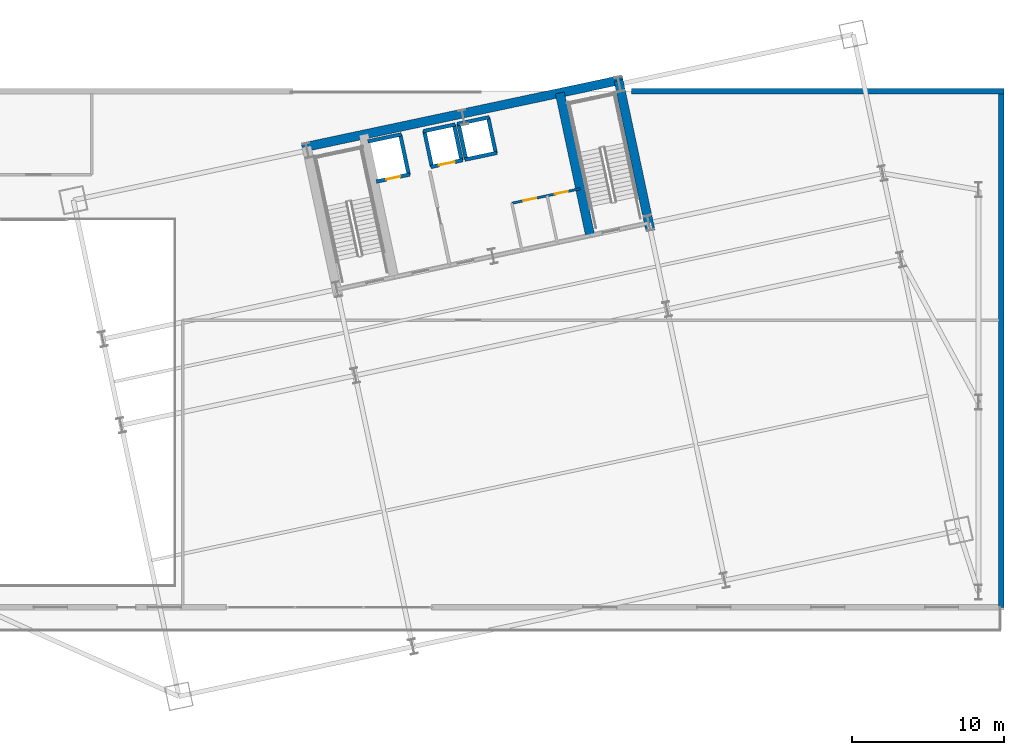
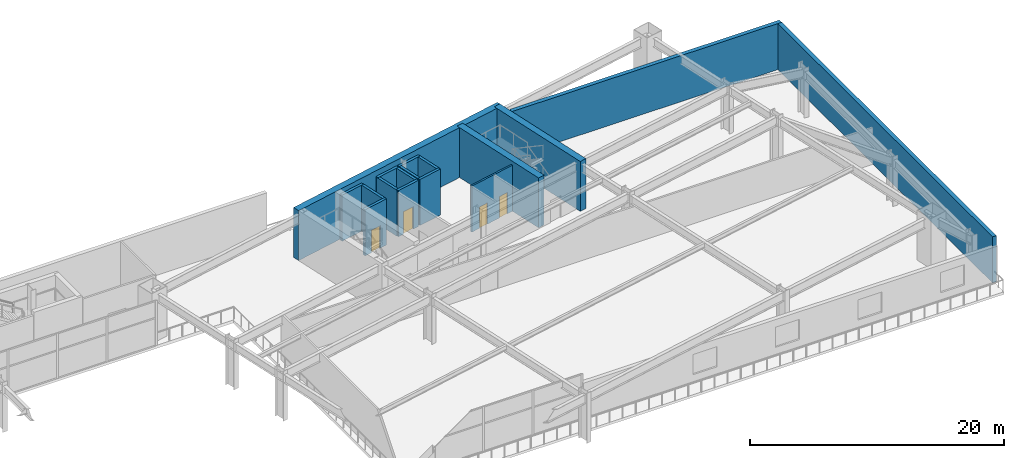
# One storey, part 22 of 35: 17 walls, 4 doors, 4 openings.
"""IFC4 building model written with IfcOpenShell, lengths in metres."""

import ifcopenshell
import ifcopenshell.guid

model = None  # the IFC model being written
_history = None  # IfcOwnerHistory: only IFC2X3 demands one
_inside = {}  # id of a spatial element -> (the spatial element, [elements in it])
_under = {}  # id of a project, library or spatial element -> (it, [spatial elements below it])
_declared = {}  # id of a project -> (the project, [libraries it declares])
_typed = {}  # id of a type object -> (the type object, [elements of that type])
_made_of = {}  # id of a material, layer set ... -> (it, [elements and type objects made of it])


def new_model(schema):
    """Start an empty IFC model of exactly this schema.

    Asked for "IFC4X3", IfcOpenShell would pick the latest addendum, in which some entities
    have other attributes; the version numbers below select the first issue.
    IFC2X3 requires an IfcOwnerHistory on every rooted entity: one is made here for all.
    """
    global model, _history
    if schema == "IFC4X3":
        model = ifcopenshell.file(schema_version=(4, 3, 0, 0))
    else:
        model = ifcopenshell.file(schema=schema)
    _inside.clear()
    _under.clear()
    _declared.clear()
    _typed.clear()
    _made_of.clear()
    _history = None
    if model.schema == "IFC2X3":
        org = make("IfcOrganization", Name="unknown")
        user = make(
            "IfcPersonAndOrganization",
            ThePerson=make("IfcPerson", FamilyName="unknown"),
            TheOrganization=org,
        )
        app = make(
            "IfcApplication",
            ApplicationDeveloper=org,
            Version="unknown",
            ApplicationFullName="unknown",
            ApplicationIdentifier="unknown",
        )
        _history = make(
            "IfcOwnerHistory",
            OwningUser=user,
            OwningApplication=app,
            ChangeAction="ADDED",
            CreationDate=0,
        )
    return model


def make(cls, **values):
    """One entity of the class cls with the attributes given. An attribute that is None is left unset."""
    return model.create_entity(
        cls, **{name: value for name, value in values.items() if value is not None}
    )


def rooted(cls, **values):
    """An entity with a GlobalId (a new one), such as an element, a storey or a relation."""
    return make(cls, GlobalId=ifcopenshell.guid.new(), OwnerHistory=_history, **values)


def si_unit(unit_type, name, prefix=None):
    """IfcSIUnit, for example si_unit("LENGTHUNIT", "METRE", prefix="MILLI")."""
    return make("IfcSIUnit", UnitType=unit_type, Prefix=prefix, Name=name)


def assignment(units):
    """IfcUnitAssignment: the units of a project."""
    return None if units is None else make("IfcUnitAssignment", Units=units)


def point(xyz):
    """IfcCartesianPoint."""
    return None if xyz is None else make("IfcCartesianPoint", Coordinates=xyz)


def direction(xyz):
    """IfcDirection."""
    return None if xyz is None else make("IfcDirection", DirectionRatios=xyz)


def frame(location, z_axis=None, x_axis=None):
    """IfcAxis2Placement3D, a coordinate frame: its origin and axes. An axis left out is left unset."""
    return make(
        "IfcAxis2Placement3D",
        Location=point(location),
        Axis=direction(z_axis),
        RefDirection=direction(x_axis),
    )


def frame_2d(location, x_axis=None):
    """IfcAxis2Placement2D, a coordinate frame in the plane: its origin and x axis."""
    return make(
        "IfcAxis2Placement2D", Location=point(location), RefDirection=direction(x_axis)
    )


def origin():
    """The frame at (0, 0, 0) with its axes left unset."""
    return frame((0.0, 0.0, 0.0))


def place(relative_to, where):
    """IfcLocalPlacement: puts the frame where relative to a parent placement (None: the world)."""
    return make(
        "IfcLocalPlacement", PlacementRelTo=relative_to, RelativePlacement=where
    )


def context(
    kind, dimensions, precision=None, world=None, true_north=None, identifier=None
):
    """IfcGeometricRepresentationContext, for example the 3D "Model" context."""
    return make(
        "IfcGeometricRepresentationContext",
        ContextIdentifier=identifier,
        ContextType=kind,
        CoordinateSpaceDimension=dimensions,
        Precision=precision,
        WorldCoordinateSystem=world,
        TrueNorth=true_north,
    )


def subcontext(parent, identifier, kind, view, scale=None):
    """IfcGeometricRepresentationSubContext, for example "Body" below "Model"."""
    return make(
        "IfcGeometricRepresentationSubContext",
        ContextIdentifier=identifier,
        ContextType=kind,
        ParentContext=parent,
        TargetScale=scale,
        TargetView=view,
    )


def project(units=None, contexts=None):
    """IfcProject with its units and contexts."""
    return rooted(
        "IfcProject",
        Name="project",
        RepresentationContexts=contexts,
        UnitsInContext=assignment(units),
    )


def spatial(cls, under=None, at=None, **own):
    """A site, building, storey or space (cls), placed at a placement, below another one or the project."""
    s = rooted(cls, ObjectPlacement=at, **own)
    if under is not None:
        _under.setdefault(under.id(), (under, []))[1].append(s)
    return s


def profile(cls, at=None, kind="AREA", **sizes):
    """A parametric profile (cls). Its sizes go by their IFC names, for example OverallWidth=200.0."""
    return make(cls, ProfileType=kind, Position=at, **sizes)


def rectangle(**sizes):
    """IfcRectangleProfileDef."""
    return profile("IfcRectangleProfileDef", **sizes)


def extrude(swept, where, along, depth):
    """IfcExtrudedAreaSolid: the profile swept, set in the frame where, extruded along a direction by depth."""
    return make(
        "IfcExtrudedAreaSolid",
        SweptArea=swept,
        Position=where,
        ExtrudedDirection=direction(along),
        Depth=depth,
    )


def shape(context_of_items, identifier, shape_type, items):
    """IfcShapeRepresentation: the items that make up one representation, for example the "Body"."""
    return make(
        "IfcShapeRepresentation",
        ContextOfItems=context_of_items,
        RepresentationIdentifier=identifier,
        RepresentationType=shape_type,
        Items=items,
    )


def material(Name=None, Category=None):
    """IfcMaterial."""
    return make("IfcMaterial", Name=Name, Category=Category)


def layer(
    of_material, thickness, ventilated=None, Name=None, Category=None, Priority=None
):
    """IfcMaterialLayer: one layer of a wall or slab, of a material (None: an air gap)."""
    return make(
        "IfcMaterialLayer",
        Material=of_material,
        LayerThickness=thickness,
        IsVentilated=ventilated,
        Name=Name,
        Category=Category,
        Priority=Priority,
    )


def layer_set(layers, Name=None):
    """IfcMaterialLayerSet."""
    return make("IfcMaterialLayerSet", MaterialLayers=layers, LayerSetName=Name)


def made_of(thing, what):
    """Note that an element or type object is made of a material, layer set ...; save() writes the relation."""
    if what is not None:
        _made_of.setdefault(what.id(), (what, []))[1].append(thing)
    return thing


def type_object(cls, material=None, **own):
    """A type object (cls), such as IfcWallType, which elements share."""
    return made_of(rooted(cls, **own), material)


def element(
    cls,
    number,
    at=None,
    inside=None,
    cuts=None,
    type_object=None,
    material=None,
    context=None,
    identifier="Body",
    shape_type=None,
    held_by="IfcProductDefinitionShape",
    body=None,
    shapes=None,
    **own,
):
    """One element of the class cls, such as IfcWall. Its Tag is "e" and its number.

    at: its placement. inside: the storey or other place that contains it. cuts: it is an
    opening in that element (IfcRelVoidsElement). A single representation is given by context,
    identifier, shape_type and body (its items); several are given by shapes. held_by: the class
    of the entity that holds the representations. save() writes the other relations.
    """
    e = rooted(cls, Tag="e%d" % number, ObjectPlacement=at, **own)
    if body is not None:
        shapes = [shape(context, identifier, shape_type, body)]
    if shapes is not None:
        e.Representation = make(held_by, Representations=shapes)
    if inside is not None:
        _inside.setdefault(inside.id(), (inside, []))[1].append(e)
    if cuts is not None:
        rooted(
            "IfcRelVoidsElement", RelatingBuildingElement=cuts, RelatedOpeningElement=e
        )
    if type_object is not None:
        _typed.setdefault(type_object.id(), (type_object, []))[1].append(e)
    return made_of(e, material)


def fill(opening, filler):
    """IfcRelFillsElement: the door or window that sits in an opening."""
    return rooted(
        "IfcRelFillsElement",
        RelatingOpeningElement=opening,
        RelatedBuildingElement=filler,
    )


def aggregate(whole, parts):
    """IfcRelAggregates: a whole, such as a stair, and the parts it consists of."""
    return rooted("IfcRelAggregates", RelatingObject=whole, RelatedObjects=parts)


def save(model, path):
    """Write the relations noted so far, then the file.

    IfcRelAggregates (storeys below a building ...), IfcRelContainedInSpatialStructure (elements
    in a storey), IfcRelDefinesByType, IfcRelAssociatesMaterial and IfcRelDeclares: one each for
    every whole, place, type object, material and project.
    """
    for whole, parts in _under.values():
        aggregate(whole, parts)
    for where, things in _inside.values():
        rooted(
            "IfcRelContainedInSpatialStructure",
            RelatedElements=things,
            RelatingStructure=where,
        )
    for kind, things in _typed.values():
        rooted("IfcRelDefinesByType", RelatedObjects=things, RelatingType=kind)
    for what, things in _made_of.values():
        rooted("IfcRelAssociatesMaterial", RelatedObjects=things, RelatingMaterial=what)
    for by, libraries in _declared.values():
        rooted("IfcRelDeclares", RelatingContext=by, RelatedDefinitions=libraries)
    model.write(path)


model = new_model("IFC4")

# Units and contexts
model_context = context("Model", 3, precision=1e-05, world=origin(), true_north=direction((0.0, 1.0)))
body_context = subcontext(model_context, "Body", "Model", "MODEL_VIEW")
ifc_project = project(units=[si_unit("LENGTHUNIT", "METRE"), si_unit("AREAUNIT", "SQUARE_METRE"), si_unit("VOLUMEUNIT", "CUBIC_METRE"), si_unit("PLANEANGLEUNIT", "RADIAN"), si_unit("MASSUNIT", "GRAM", prefix="KILO")], contexts=[model_context])

# Site, building, storey
site_placement = place(None, origin())
site = spatial("IfcSite", under=ifc_project, at=site_placement, CompositionType="ELEMENT")
building_placement = place(site_placement, origin())
building = spatial("IfcBuilding", under=site, at=building_placement, Name="Haevon Station Towers", CompositionType="ELEMENT")
storey_placement = place(building_placement, frame((0.0, 0.0, 20.39990234375)))
storey = spatial("IfcBuildingStorey", under=building, at=storey_placement, Name="L04", CompositionType="ELEMENT", Elevation=20.39990234375)

# Walls
ifc_material_1 = material(Name="Concrete C60/75", Category="concrete")
ifc_layer_1 = layer(ifc_material_1, 0.60009765625)
ifc_layer_set_1 = layer_set([ifc_layer_1], Name="Concrete C60/75")
wall_type_1 = type_object("IfcWallType", Name="WL-CR600", PredefinedType="SHEAR", material=ifc_layer_set_1)
wall_1_placement = place(storey_placement, frame((96.462890625, 46.770263671875, 0.0), z_axis=(0.0, 0.0, 1.0), x_axis=(0.978147272959, 0.207913232873, 0.0)))
element("IfcWall", 1, at=wall_1_placement, inside=storey, type_object=wall_type_1, Name="WL-T2CR-L04-N", PredefinedType="SHEAR", context=body_context, shape_type="SweptSolid", body=[
    extrude(rectangle(XDim=21.60009765625, YDim=0.60009765625, at=frame_2d((10.800048828125, 0.0))), origin(), (0.0, 0.0, 1.0), 4.800048828125),
])
wall_2_placement = place(storey_placement, frame((119.401611328125, 41.2998046875, 0.0), z_axis=(0.0, 0.0, 1.0), x_axis=(-0.207904342798, 0.978149162575, 0.0)))
element("IfcWall", 2, at=wall_2_placement, inside=storey, type_object=wall_type_1, Name="WL-T2CR-L04-E", PredefinedType="SHEAR", context=body_context, shape_type="SweptSolid", body=[
    extrude(rectangle(XDim=10.1201171875, YDim=0.60009765625, at=frame_2d((5.06005859375, 0.0))), origin(), (0.0, 0.0, 1.0), 4.800048828125),
])
wall_3_placement = place(storey_placement, frame((115.4296875, 40.9873046875, 0.0), z_axis=(0.0, 0.0, 1.0), x_axis=(-0.207903162969, 0.978149413345, 0.0)))
element("IfcWall", 3, at=wall_3_placement, inside=storey, type_object=wall_type_1, Name="WL-T2CR-L04-M2", PredefinedType="SHEAR", context=body_context, shape_type="SweptSolid", body=[
    extrude(rectangle(XDim=9.599853515625, YDim=0.60009765625, at=frame_2d((4.7998046875, 0.0))), origin(), (0.0, 0.0, 1.0), 4.800048828125),
])
ifc_material_2 = material(Name="Precast concrete C45/55", Category="concrete")
ifc_layer_2 = layer(ifc_material_2, 0.360107421875)
ifc_layer_set_2 = layer_set([ifc_layer_2], Name="Precast concrete C45/55")
wall_type_2 = type_object("IfcWallType", Name="WL-EXT-POD360", PredefinedType="SOLIDWALL", material=ifc_layer_set_2)
wall_4_placement = place(storey_placement, frame((118.14990234375, 50.5, 0.0), z_axis=(0.0, 0.0, 1.0), x_axis=(1.0, 0.0, 0.0)))
element("IfcWall", 4, at=wall_4_placement, inside=storey, type_object=wall_type_2, Name="WL-POD-L04-N2", PredefinedType="SOLIDWALL", context=body_context, shape_type="SweptSolid", body=[
    extrude(rectangle(XDim=24.530029296875, YDim=0.360107421875, at=frame_2d((12.26513671875, 0.0))), origin(), (0.0, 0.0, 1.0), 4.43017578125),
])
wall_5_placement = place(storey_placement, frame((142.5, 50.5, 0.0), z_axis=(0.0, 0.0, 1.0), x_axis=(0.0, -1.0, 0.0)))
element("IfcWall", 5, at=wall_5_placement, inside=storey, type_object=wall_type_2, Name="WL-POD-L04-E", PredefinedType="SOLIDWALL", context=body_context, shape_type="SweptSolid", body=[
    extrude(rectangle(XDim=34.0, YDim=0.360107421875, at=frame_2d((17.0, 0.0))), origin(), (0.0, 0.0, 1.0), 4.43017578125),
])

# Wall, openings, doors
ifc_material_3 = material(Name="Gypsum board on steel stud", Category="steel")
ifc_layer_3 = layer(ifc_material_3, 0.159912109375)
ifc_layer_set_3 = layer_set([ifc_layer_3], Name="Gypsum board on steel stud")
wall_type_3 = type_object("IfcWallType", Name="WL-PRT160", PredefinedType="PARTITIONING", material=ifc_layer_set_3)
wall_6_placement = place(storey_placement, frame((110.275390625, 43.112060546875, 0.0), z_axis=(0.0, 0.0, 1.0), x_axis=(0.978152106073, 0.207890493732, 0.0)))
wall_6 = element("IfcWall", 6, at=wall_6_placement, inside=storey, type_object=wall_type_3, Name="WL-T2CW-L04-03", PredefinedType="PARTITIONING", context=body_context, shape_type="SweptSolid", body=[
    extrude(rectangle(XDim=4.60009765625, YDim=0.159912109375, at=frame_2d((2.300048828125, 0.0))), origin(), (0.0, 0.0, 1.0), 4.43017578125),
])
opening_1_placement = place(wall_6_placement, frame((0.784912109375, 0.0, 0.0)))
opening_1 = element("IfcOpeningElement", 7, at=opening_1_placement, cuts=wall_6, Name="Opening DR-WL-T2CW-L04-03-1", PredefinedType="OPENING", context=body_context, shape_type="SweptSolid", body=[
    extrude(rectangle(XDim=0.85009765625, YDim=2.050048828125, at=frame_2d((0.425048828125, 1.02490234375))), frame((0.0, 0.08984375, 0.0), z_axis=(0.0, -1.0, 0.0), x_axis=(1.0, 0.0, 0.0)), (0.0, 0.0, 1.0), 0.179931640625),
])
opening_2_placement = place(wall_6_placement, frame((2.905029296875, 0.0, 0.0)))
opening_2 = element("IfcOpeningElement", 8, at=opening_2_placement, cuts=wall_6, Name="Opening DR-WL-T2CW-L04-03-2", PredefinedType="OPENING", context=body_context, shape_type="SweptSolid", body=[
    extrude(rectangle(XDim=0.85009765625, YDim=2.050048828125, at=frame_2d((0.425048828125, 1.02490234375))), frame((0.0, 0.08984375, 0.0), z_axis=(0.0, -1.0, 0.0), x_axis=(1.0, 0.0, 0.0)), (0.0, 0.0, 1.0), 0.179931640625),
])
ifc_material_4 = material(Name="Engineered oak timber", Category="wood")
door_type_1 = type_object("IfcDoorType", Name="DR-FD30-850", OperationType="NOTDEFINED", PredefinedType="DOOR", material=ifc_material_4)
door_1_placement = place(opening_1_placement, origin())
door_1 = element("IfcDoor", 9, at=door_1_placement, inside=storey, type_object=door_type_1, Name="L04 Tower 2 Core Room Door 3-1", OperationType="SINGLE_SWING_RIGHT", OverallHeight=2.050048828125, OverallWidth=0.85009765625, PredefinedType="DOOR", context=body_context, shape_type="SweptSolid", body=[
    extrude(rectangle(XDim=0.85009765625, YDim=2.050048828125, at=frame_2d((0.425048828125, 1.02490234375))), frame((0.0, 0.02490234375, 0.0), z_axis=(0.0, -1.0, 0.0), x_axis=(1.0, 0.0, 0.0)), (0.0, 0.0, 1.0), 0.050048828125),
])
fill(opening_1, door_1)
door_2_placement = place(opening_2_placement, origin())
door_2 = element("IfcDoor", 10, at=door_2_placement, inside=storey, type_object=door_type_1, Name="L04 Tower 2 Core Room Door 3-2", OperationType="SINGLE_SWING_LEFT", OverallHeight=2.050048828125, OverallWidth=0.85009765625, PredefinedType="DOOR", context=body_context, shape_type="SweptSolid", body=[
    extrude(rectangle(XDim=0.85009765625, YDim=2.050048828125, at=frame_2d((0.425048828125, 1.02490234375))), frame((0.0, 0.02490234375, 0.0), z_axis=(0.0, -1.0, 0.0), x_axis=(1.0, 0.0, 0.0)), (0.0, 0.0, 1.0), 0.050048828125),
])
fill(opening_2, door_2)

# Wall, opening, door
ifc_material_5 = material(Name="Concrete C40/50", Category="concrete")
ifc_layer_4 = layer(ifc_material_5, 0.239990234375)
ifc_layer_set_4 = layer_set([ifc_layer_4], Name="Concrete C40/50")
wall_type_4 = type_object("IfcWallType", Name="WL-SHF240", PredefinedType="PARTITIONING", material=ifc_layer_set_4)
wall_7_placement = place(storey_placement, frame((101.353759765625, 44.538330078125, 0.0), z_axis=(0.0, 0.0, 1.0), x_axis=(0.978141002414, 0.207942731049, 0.0)))
wall_7 = element("IfcWall", 11, at=wall_7_placement, inside=storey, type_object=wall_type_4, Name="WL-SHF-FL2-L04", PredefinedType="PARTITIONING", context=body_context, shape_type="SweptSolid", body=[
    extrude(rectangle(XDim=2.260009765625, YDim=0.239990234375, at=frame_2d((1.1298828125, 0.0))), origin(), (0.0, 0.0, 1.0), 4.43017578125),
])
opening_3_placement = place(wall_7_placement, frame((0.655029296875, 0.0, 0.0)))
opening_3 = element("IfcOpeningElement", 12, at=opening_3_placement, cuts=wall_7, Name="Opening LD-FL2-L04", PredefinedType="OPENING", context=body_context, shape_type="SweptSolid", body=[
    extrude(rectangle(XDim=0.949951171875, YDim=2.14990234375, at=frame_2d((0.47509765625, 1.074951171875))), frame((0.0, 0.1298828125, 0.0), z_axis=(0.0, -1.0, 0.0), x_axis=(1.0, 0.0, 0.0)), (0.0, 0.0, 1.0), 0.260009765625),
])
ifc_material_6 = material(Name="Stainless steel and rated core", Category="steel")
door_type_2 = type_object("IfcDoorType", Name="LD-FL950", OperationType="SLIDING_TO_LEFT", PredefinedType="DOOR", material=ifc_material_6)
door_3_placement = place(opening_3_placement, origin())
door_3 = element("IfcDoor", 13, at=door_3_placement, inside=storey, type_object=door_type_2, Name="L04 Lift FL2 Sliding Landing Door", OperationType="SLIDING_TO_LEFT", OverallHeight=2.14990234375, OverallWidth=0.949951171875, PredefinedType="DOOR", context=body_context, shape_type="SweptSolid", body=[
    extrude(rectangle(XDim=0.949951171875, YDim=2.14990234375, at=frame_2d((0.47509765625, 1.074951171875))), frame((0.0, 0.02490234375, 0.0), z_axis=(0.0, -1.0, 0.0), x_axis=(1.0, 0.0, 0.0)), (0.0, 0.0, 1.0), 0.050048828125),
])
fill(opening_3, door_3)

# Walls
wall_8_placement = place(storey_placement, frame((100.79248046875, 47.179443359375, 0.0), z_axis=(0.0, 0.0, 1.0), x_axis=(0.978162968872, 0.207839376268, 0.0)))
element("IfcWall", 14, at=wall_8_placement, inside=storey, type_object=wall_type_4, Name="WL-SHF-FL2-L04-N", PredefinedType="PARTITIONING", context=body_context, shape_type="SweptSolid", body=[
    extrude(rectangle(XDim=2.260009765625, YDim=0.239990234375, at=frame_2d((1.1298828125, 0.0))), origin(), (0.0, 0.0, 1.0), 4.43017578125),
])
wall_9_placement = place(storey_placement, frame((103.486328125, 44.99169921875, 0.0), z_axis=(0.0, 0.0, 1.0), x_axis=(-0.207978798957, 0.978133334052, 0.0)))
element("IfcWall", 15, at=wall_9_placement, inside=storey, type_object=wall_type_4, Name="WL-SHF-FL2-L04-E", PredefinedType="PARTITIONING", context=body_context, shape_type="SweptSolid", body=[
    extrude(rectangle(XDim=2.699951171875, YDim=0.239990234375, at=frame_2d((1.35009765625, 0.0))), origin(), (0.0, 0.0, 1.0), 4.43017578125),
])

# Wall, opening, door
wall_10_placement = place(storey_placement, frame((104.931396484375, 45.503173828125, 0.0), z_axis=(0.0, 0.0, 1.0), x_axis=(0.97813528961, 0.207969601673, 0.0)))
wall_10 = element("IfcWall", 16, at=wall_10_placement, inside=storey, type_object=wall_type_4, Name="WL-SHF-PL7-L04", PredefinedType="PARTITIONING", context=body_context, shape_type="SweptSolid", body=[
    extrude(rectangle(XDim=2.159912109375, YDim=0.239990234375, at=frame_2d((1.080078125, 0.0))), origin(), (0.0, 0.0, 1.0), 4.43017578125),
])
opening_4_placement = place(wall_10_placement, frame((0.554931640625, 0.0, 0.0)))
opening_4 = element("IfcOpeningElement", 17, at=opening_4_placement, cuts=wall_10, Name="Opening LD-PL7-L04", PredefinedType="OPENING", context=body_context, shape_type="SweptSolid", body=[
    extrude(rectangle(XDim=1.050048828125, YDim=2.14990234375, at=frame_2d((0.52490234375, 1.074951171875))), frame((0.0, 0.1298828125, 0.0), z_axis=(0.0, -1.0, 0.0), x_axis=(1.0, 0.0, 0.0)), (0.0, 0.0, 1.0), 0.260009765625),
])
door_type_3 = type_object("IfcDoorType", Name="LD-PL1050", OperationType="SLIDING_TO_LEFT", PredefinedType="DOOR", material=ifc_material_6)
door_4_placement = place(opening_4_placement, origin())
door_4 = element("IfcDoor", 18, at=door_4_placement, inside=storey, type_object=door_type_3, Name="L04 Lift PL7 Sliding Landing Door", OperationType="SLIDING_TO_LEFT", OverallHeight=2.14990234375, OverallWidth=1.050048828125, PredefinedType="DOOR", context=body_context, shape_type="SweptSolid", body=[
    extrude(rectangle(XDim=1.050048828125, YDim=2.14990234375, at=frame_2d((0.52490234375, 1.074951171875))), frame((0.0, 0.02490234375, 0.0), z_axis=(0.0, -1.0, 0.0), x_axis=(1.0, 0.0, 0.0)), (0.0, 0.0, 1.0), 0.050048828125),
])
fill(opening_4, door_4)

# Walls
wall_11_placement = place(storey_placement, frame((104.432373046875, 47.850830078125, 0.0), z_axis=(0.0, 0.0, 1.0), x_axis=(0.978158276388, 0.207861459473, 0.0)))
element("IfcWall", 19, at=wall_11_placement, inside=storey, type_object=wall_type_4, Name="WL-SHF-PL7-L04-N", PredefinedType="PARTITIONING", context=body_context, shape_type="SweptSolid", body=[
    extrude(rectangle(XDim=2.159912109375, YDim=0.239990234375, at=frame_2d((1.080078125, 0.0))), origin(), (0.0, 0.0, 1.0), 4.43017578125),
])
wall_12_placement = place(storey_placement, frame((105.009765625, 45.519775390625, 0.0), z_axis=(0.0, 0.0, 1.0), x_axis=(-0.207917150959, 0.978146440129, 0.0)))
element("IfcWall", 20, at=wall_12_placement, inside=storey, type_object=wall_type_4, Name="WL-SHF-PL7-L04-W", PredefinedType="PARTITIONING", context=body_context, shape_type="SweptSolid", body=[
    extrude(rectangle(XDim=2.400146484375, YDim=0.239990234375, at=frame_2d((1.2001953125, 0.0))), origin(), (0.0, 0.0, 1.0), 4.43017578125),
])
wall_13_placement = place(storey_placement, frame((106.966064453125, 45.935791015625, 0.0), z_axis=(0.0, 0.0, 1.0), x_axis=(-0.207937840262, 0.978142042133, 0.0)))
element("IfcWall", 21, at=wall_13_placement, inside=storey, type_object=wall_type_4, Name="WL-SHF-PL7-L04-E", PredefinedType="PARTITIONING", context=body_context, shape_type="SweptSolid", body=[
    extrude(rectangle(XDim=2.39990234375, YDim=0.239990234375, at=frame_2d((1.199951171875, 0.0))), origin(), (0.0, 0.0, 1.0), 4.43017578125),
])
for number, where, z_axis, x_axis, name in (
    (22, (107.18115234375, 45.9814453125, 0.0), (0.0, 0.0, 1.0), (0.97813528961, 0.207969601673, 0.0), "WL-SHF-PL8-L04"),
    (23, (106.68212890625, 48.3291015625, 0.0), (0.0, 0.0, 1.0), (0.978158276388, 0.207861459473, 0.0), "WL-SHF-PL8-L04-N"),
):
    element("IfcWall", number, at=place(storey_placement, frame(where, z_axis=z_axis, x_axis=x_axis)), inside=storey, type_object=wall_type_4, Name=name, PredefinedType="PARTITIONING", context=body_context, shape_type="SweptSolid", body=[
        extrude(rectangle(XDim=2.159912109375, YDim=0.239990234375, at=frame_2d((1.080078125, 0.0))), origin(), (0.0, 0.0, 1.0), 4.43017578125),
    ])
for number, where, z_axis, x_axis, name in (
    (24, (107.259521484375, 45.998046875, 0.0), (0.0, 0.0, 1.0), (-0.207917150959, 0.978146440129, 0.0), "WL-SHF-PL8-L04-W"),
    (25, (109.2158203125, 46.413818359375, 0.0), (0.0, 0.0, 1.0), (-0.207917150959, 0.978146440129, 0.0), "WL-SHF-PL8-L04-E"),
):
    element("IfcWall", number, at=place(storey_placement, frame(where, z_axis=z_axis, x_axis=x_axis)), inside=storey, type_object=wall_type_4, Name=name, PredefinedType="PARTITIONING", context=body_context, shape_type="SweptSolid", body=[
        extrude(rectangle(XDim=2.400146484375, YDim=0.239990234375, at=frame_2d((1.2001953125, 0.0))), origin(), (0.0, 0.0, 1.0), 4.43017578125),
    ])

save(model, "model.ifc")
